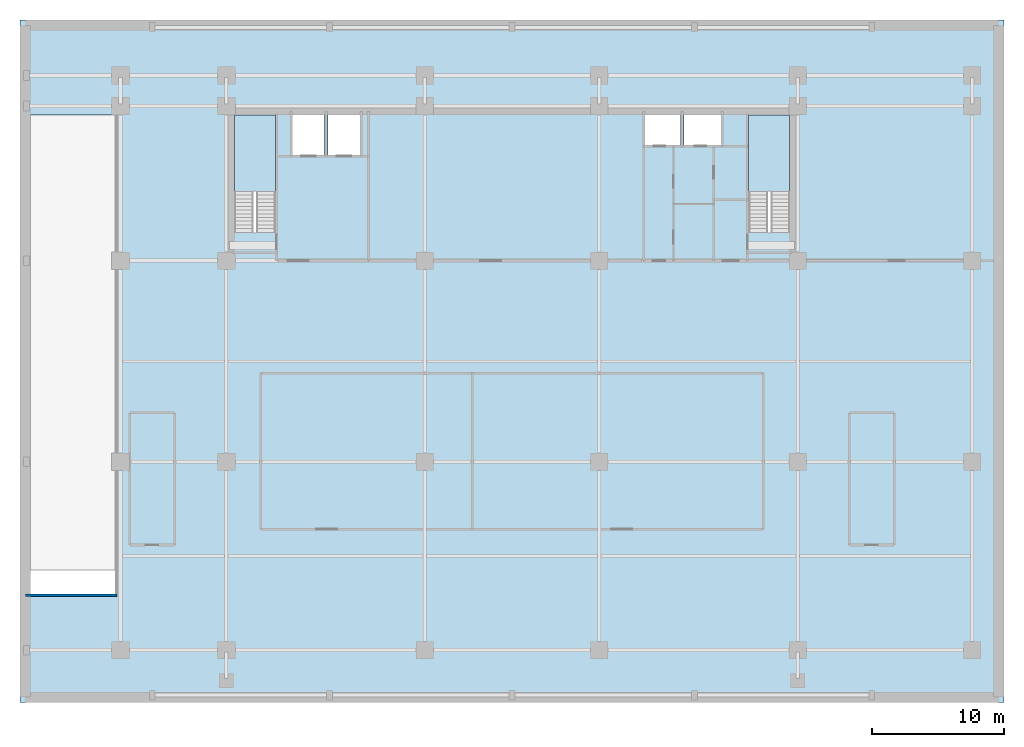
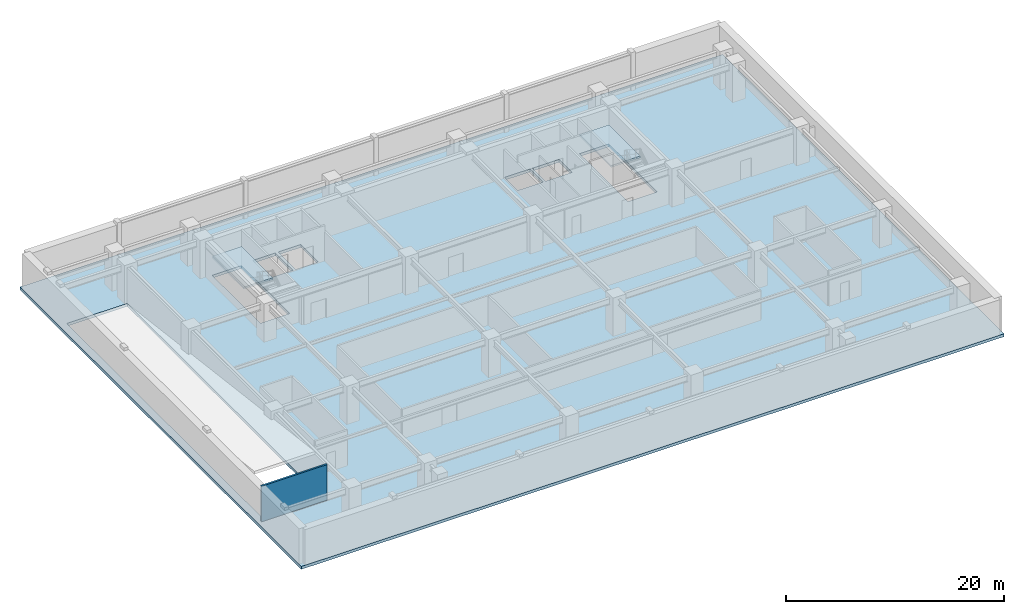
# One storey, part 2 of 8: 3 slabs, 1 wall, 2 elements without a shape of their own.
"""IFC4 building model written with IfcOpenShell, lengths in metres."""

from ifc_helpers import new_model, si_unit, direction, frame, frame_2d, origin, place, context, subcontext, project, spatial, polyline, rectangle, outline, extrude, material, layer, layer_set, type_object, element, aggregate, save


model = new_model("IFC4")

# Units and contexts
model_context = context("Model", 3, precision=1e-05, world=origin(), true_north=direction((0.0, 1.0)))
body_context = subcontext(model_context, "Body", "Model", "MODEL_VIEW")
ifc_project = project(units=[si_unit("LENGTHUNIT", "METRE"), si_unit("AREAUNIT", "SQUARE_METRE"), si_unit("VOLUMEUNIT", "CUBIC_METRE"), si_unit("PLANEANGLEUNIT", "RADIAN"), si_unit("MASSUNIT", "GRAM", prefix="KILO")], contexts=[model_context])

# Site, building, storey
site_placement = place(None, origin())
site = spatial("IfcSite", under=ifc_project, at=site_placement, CompositionType="ELEMENT")
building_placement = place(site_placement, origin())
building = spatial("IfcBuilding", under=site, at=building_placement, Name="Trelvane Seafront Commons", CompositionType="ELEMENT")
storey_placement = place(building_placement, frame((0.0, 0.0, -8.60009765625)))
storey = spatial("IfcBuildingStorey", under=building, at=storey_placement, Name="B02", CompositionType="ELEMENT", Elevation=-8.60009765625)

# Stair, slab
ifc_material_1 = material(Name="Concrete C40/50", Category="concrete")
stair_type_1 = type_object("IfcStairType", Name="ARCH-STR-ST-1-R24-179", PredefinedType="HALF_TURN_STAIR", material=ifc_material_1)
stair_1_placement = place(storey_placement, origin())
stair_1 = element("IfcStair", 1, at=stair_1_placement, inside=storey, type_object=stair_type_1, Name="B02 West Protected Firefighting Exit Stair ST-1", PredefinedType="HALF_TURN_STAIR")
ifc_layer_1 = layer(ifc_material_1, 0.199951171875, Name="ARCH-LND-200")
ifc_layer_set_1 = layer_set([ifc_layer_1], Name="Concrete C40/50")
slab_type_1 = type_object("IfcSlabType", Name="ARCH-LND-200", PredefinedType="LANDING", material=ifc_layer_set_1)
slab_1_placement = place(storey_placement, frame((0.0, 0.0, 1.9501953125)))
slab_1 = element("IfcSlab", 2, at=slab_1_placement, type_object=slab_type_1, Name="ST-1 landing 1", PredefinedType="LANDING", context=body_context, shape_type="SweptSolid", body=[
    extrude(outline(polyline([(19.300048828125, 38.6298828125), (19.300048828125, 44.39990234375), (16.199951171875, 44.39990234375), (16.199951171875, 38.6298828125), (19.300048828125, 38.6298828125)])), origin(), (0.0, 0.0, 1.0), 0.199951171875),
])
aggregate(stair_1, [slab_1])

stair_type_2 = type_object("IfcStairType", Name="ARCH-STR-ST-2-R24-179", PredefinedType="HALF_TURN_STAIR", material=ifc_material_1)
stair_2_placement = place(storey_placement, origin())
stair_2 = element("IfcStair", 3, at=stair_2_placement, inside=storey, type_object=stair_type_2, Name="B02 East Protected Firefighting Exit Stair ST-2", PredefinedType="HALF_TURN_STAIR")
slab_2_placement = place(storey_placement, frame((0.0, 0.0, 1.9501953125)))
slab_2 = element("IfcSlab", 4, at=slab_2_placement, type_object=slab_type_1, Name="ST-2 landing 1", PredefinedType="LANDING", context=body_context, shape_type="SweptSolid", body=[
    extrude(outline(polyline([(58.199951171875, 38.6298828125), (58.199951171875, 44.39990234375), (55.10009765625, 44.39990234375), (55.10009765625, 38.6298828125), (58.199951171875, 38.6298828125)])), origin(), (0.0, 0.0, 1.0), 0.199951171875),
])
aggregate(stair_2, [slab_2])

# Slab
ifc_material_2 = material(Name="Concrete C50/60", Category="concrete")
ifc_layer_2 = layer(ifc_material_2, 0.320068359375, Name="STR-SLB-B320")
ifc_layer_set_2 = layer_set([ifc_layer_2], Name="Concrete C50/60")
slab_type_2 = type_object("IfcSlabType", Name="STR-SLB-B320", PredefinedType="FLOOR", material=ifc_layer_set_2)
slab_3_placement = place(storey_placement, frame((0.0, 0.0, -0.31982421875)))
element("IfcSlab", 5, at=slab_3_placement, inside=storey, type_object=slab_type_2, Name="B02 Structural Floor Slab", PredefinedType="FLOOR", context=body_context, shape_type="SweptSolid", body=[
    extrude(outline(polyline([(0.0, 0.0), (74.39990234375, 0.0), (74.39990234375, 51.60009765625), (0.0, 51.60009765625), (0.0, 0.0)]), holes=[polyline([(7.199951171875, 44.39990234375), (7.199951171875, 8.199951171875), (0.800048828125, 8.199951171875), (0.800048828125, 44.39990234375), (7.199951171875, 44.39990234375)]), polyline([(19.300048828125, 35.550048828125), (16.199951171875, 35.550048828125), (16.199951171875, 44.39990234375), (19.300048828125, 44.39990234375), (19.300048828125, 35.550048828125)]), polyline([(58.199951171875, 35.550048828125), (55.10009765625, 35.550048828125), (55.10009765625, 44.39990234375), (58.199951171875, 44.39990234375), (58.199951171875, 35.550048828125)]), polyline([(23.0, 41.39990234375), (20.60009765625, 41.39990234375), (20.60009765625, 44.60009765625), (23.0, 44.60009765625), (23.0, 41.39990234375)]), polyline([(25.699951171875, 41.39990234375), (23.300048828125, 41.39990234375), (23.300048828125, 44.60009765625), (25.699951171875, 44.60009765625), (25.699951171875, 41.39990234375)]), polyline([(49.949951171875, 42.14990234375), (47.25, 42.14990234375), (47.25, 44.550048828125), (49.949951171875, 44.550048828125), (49.949951171875, 42.14990234375)]), polyline([(53.0, 42.14990234375), (50.199951171875, 42.14990234375), (50.199951171875, 44.550048828125), (53.0, 44.550048828125), (53.0, 42.14990234375)])]), origin(), (0.0, 0.0, 1.0), 0.31982421875),
])

# Wall
ifc_layer_3 = layer(ifc_material_2, 0.199951171875, Name="STR-WALL-STAIR200")
ifc_layer_set_3 = layer_set([ifc_layer_3], Name="Concrete C50/60")
wall_type = type_object("IfcWallType", Name="STR-WALL-STAIR200", PredefinedType="SHEAR", material=ifc_layer_set_3)
wall_placement = place(storey_placement, frame((0.39990234375, 8.10009765625, 0.0), z_axis=(0.0, 0.0, 1.0), x_axis=(1.0, 0.0, 0.0)))
element("IfcWall", 6, at=wall_placement, inside=storey, type_object=wall_type, Name="W-B02-RMP-S-B2-039", PredefinedType="SHEAR", context=body_context, shape_type="SweptSolid", body=[
    extrude(rectangle(XDim=6.9501953125, YDim=0.199951171875, at=frame_2d((3.47509765625, 0.0))), origin(), (0.0, 0.0, 1.0), 3.97998046875),
])

save(model, "model.ifc")
